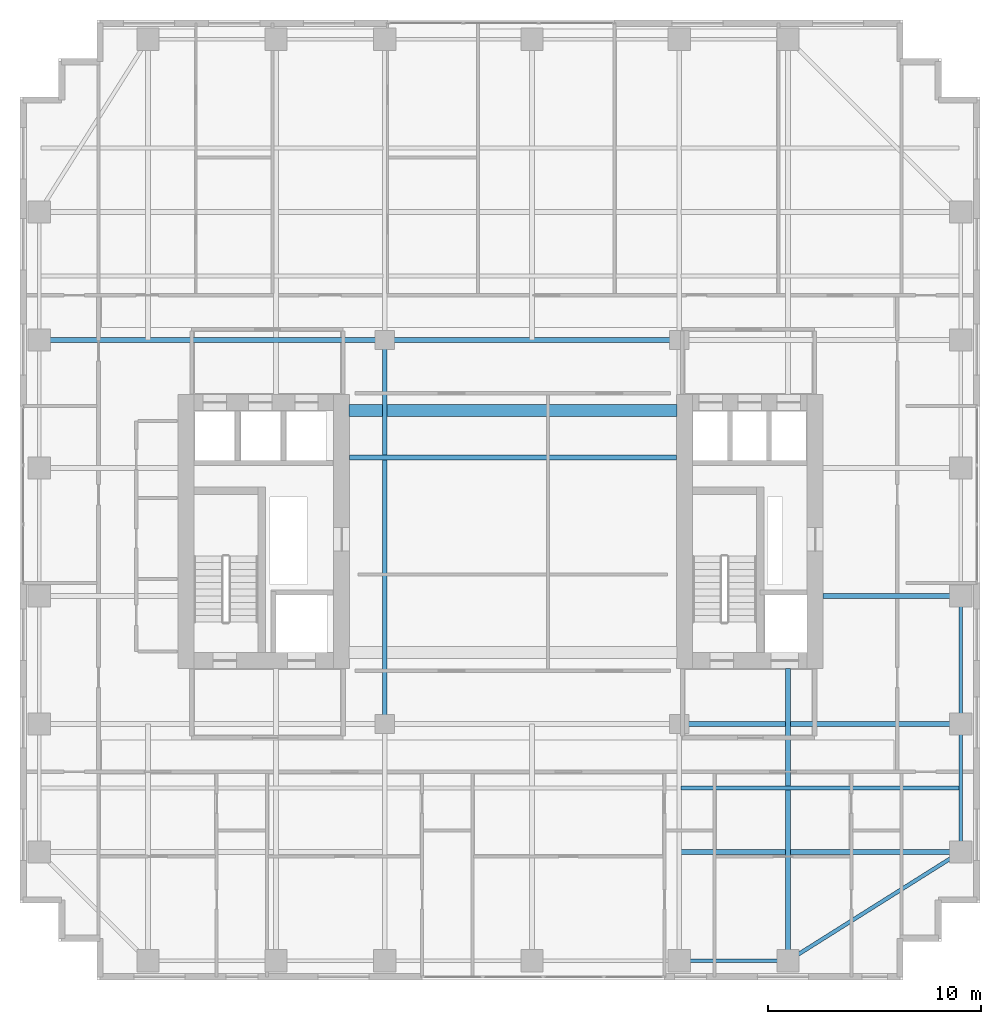
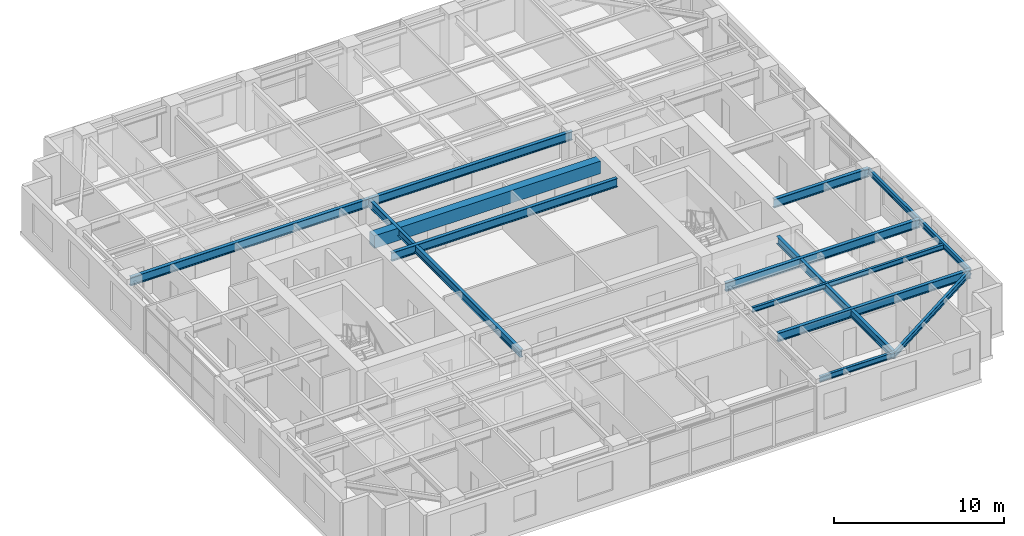
# One storey, part 6 of 20: 14 beams.
"""IFC4 building model written with IfcOpenShell, lengths in metres."""

from ifc_helpers import new_model, si_unit, direction, frame, origin, origin_2d, place, context, subcontext, project, spatial, rectangle, i_section, extrude, source, transform, mapped, material, material_profile, profile_set, type_object, element, save


model = new_model("IFC4")

# Units and contexts
model_context = context("Model", 3, precision=1e-05, world=origin(), true_north=direction((0.0, 1.0)))
body_context = subcontext(model_context, "Body", "Model", "MODEL_VIEW")
ifc_project = project(units=[si_unit("LENGTHUNIT", "METRE"), si_unit("AREAUNIT", "SQUARE_METRE"), si_unit("VOLUMEUNIT", "CUBIC_METRE"), si_unit("PLANEANGLEUNIT", "RADIAN"), si_unit("MASSUNIT", "GRAM", prefix="KILO")], contexts=[model_context])

# Site, building, storey
site_placement = place(None, origin())
site = spatial("IfcSite", under=ifc_project, at=site_placement, CompositionType="ELEMENT")
building_placement = place(site_placement, origin())
building = spatial("IfcBuilding", under=site, at=building_placement, Name="Khoralis Quay Care Tower", CompositionType="ELEMENT")
storey_placement = place(building_placement, frame((0.0, 0.0, 116.10009765625)))
storey = spatial("IfcBuildingStorey", under=building, at=storey_placement, Name="L30", CompositionType="ELEMENT", Elevation=116.10009765625)

# Beams
ifc_material_1 = material(Name="Concrete C65/80", Category="concrete")
ifc_material_profile_1 = material_profile(ifc_material_1, rectangle(XDim=0.550048828125, YDim=0.89990234375, at=origin_2d()), Name="Concrete C65/80")
ifc_profile_set_1 = profile_set([ifc_material_profile_1], Name="Concrete C65/80")
beam_type_1 = type_object("IfcBeamType", Name="CB-RC550X900", PredefinedType="LINTEL", material=ifc_profile_set_1)
shared_shape_1 = source(origin(), body_context, "Body", "SweptSolid", [
    extrude(rectangle(XDim=0.550048828125, YDim=0.89990234375, at=origin_2d()), origin(), (0.0, 0.0, 1.0), 15.380126953125),
])
beam_1_placement = place(storey_placement, frame((15.419921875, 26.699951171875, 2.889892578125), z_axis=(1.0, 0.0, 0.0), x_axis=(0.0, 1.0, 0.0)))
element("IfcBeam", 1, at=beam_1_placement, inside=storey, type_object=beam_type_1, Name="L30 North Core Coupling Lintel", PredefinedType="LINTEL", context=body_context, shape_type="MappedRepresentation", body=[
    mapped(shared_shape_1, transform((0.0, 0.0, 0.0), scale=1.0)),
])
ifc_material_2 = material(Name="Steel S355", Category="steel")
ifc_material_profile_2 = material_profile(ifc_material_2, i_section(OverallWidth=0.179931640625, OverallDepth=0.39990234375, WebThickness=0.008544921875, FlangeThickness=0.013427734375, FilletRadius=0.02099609375, at=origin_2d()), Name="Steel S355")
ifc_profile_set_2 = profile_set([ifc_material_profile_2], Name="Steel S355")
beam_type_2 = type_object("IfcBeamType", Name="BM-IPE400", PredefinedType="SPANDREL", material=ifc_profile_set_2)
shared_shape_2 = source(origin(), body_context, "Body", "SweptSolid", [
    extrude(i_section(OverallWidth=0.179931640625, OverallDepth=0.39990234375, WebThickness=0.008544921875, FlangeThickness=0.013427734375, FilletRadius=0.02099609375, at=origin_2d()), origin(), (0.0, 0.0, 1.0), 6.0),
])
for number, where, z_axis, x_axis, name in (
    (2, (44.10009765625, 6.0, 3.139892578125), (0.0, 1.0, 0.0), (-1.0, 0.0, 0.0), "BM-TSP-L30-16"),
    (3, (44.10009765625, 12.0, 3.139892578125), (0.0, 1.0, 0.0), (-1.0, 0.0, 0.0), "BM-TSP-L30-17"),
):
    element("IfcBeam", number, at=place(storey_placement, frame(where, z_axis=z_axis, x_axis=x_axis)), inside=storey, type_object=beam_type_2, Name=name, PredefinedType="SPANDREL", context=body_context, shape_type="MappedRepresentation", body=[
        mapped(shared_shape_2, transform((0.0, 0.0, 0.0), scale=1.0)),
    ])
shared_shape_3 = source(origin(), body_context, "Body", "SweptSolid", [
    extrude(i_section(OverallWidth=0.179931640625, OverallDepth=0.39990234375, WebThickness=0.008544921875, FlangeThickness=0.013427734375, FilletRadius=0.02099609375, at=origin_2d()), origin(), (0.0, 0.0, 1.0), 5.10009765625),
])
beam_2_placement = place(storey_placement, frame((30.89990234375, 0.89990234375, 3.139892578125), z_axis=(1.0, 0.0, 0.0), x_axis=(0.0, 1.0, 0.0)))
element("IfcBeam", 4, at=beam_2_placement, inside=storey, type_object=beam_type_2, Name="BM-TSP-L30-05", PredefinedType="SPANDREL", context=body_context, shape_type="MappedRepresentation", body=[
    mapped(shared_shape_3, transform((0.0, 0.0, 0.0), scale=1.0)),
])
shared_shape_4 = source(origin(), body_context, "Body", "SweptSolid", [
    extrude(i_section(OverallWidth=0.179931640625, OverallDepth=0.39990234375, WebThickness=0.008544921875, FlangeThickness=0.013427734375, FilletRadius=0.02099609375, at=origin_2d()), origin(), (0.0, 0.0, 1.0), 9.572021484375),
])
beam_3_placement = place(storey_placement, frame((36.0, 0.89990234375, 3.139892578125), z_axis=(0.846231136359, 0.532815975602, 0.0), x_axis=(-0.532815975602, 0.846231136359, 0.0)))
element("IfcBeam", 5, at=beam_3_placement, inside=storey, type_object=beam_type_2, Name="BM-TCR-L30-22", PredefinedType="SPANDREL", context=body_context, shape_type="MappedRepresentation", body=[
    mapped(shared_shape_4, transform((0.0, 0.0, 0.0), scale=1.0)),
])
ifc_material_profile_3 = material_profile(ifc_material_2, i_section(OverallWidth=0.22998046875, OverallDepth=0.616943359375, WebThickness=0.01318359375, FlangeThickness=0.022216796875, FilletRadius=0.01806640625, at=origin_2d()), Name="Steel S355")
ifc_profile_set_3 = profile_set([ifc_material_profile_3], Name="Steel S355")
beam_type_3 = type_object("IfcBeamType", Name="BM-W610X140", PredefinedType="BEAM", material=ifc_profile_set_3)
shared_shape_5 = source(origin(), body_context, "Body", "SweptSolid", [
    extrude(i_section(OverallWidth=0.22998046875, OverallDepth=0.616943359375, WebThickness=0.01318359375, FlangeThickness=0.022216796875, FilletRadius=0.01806640625, at=origin_2d()), origin(), (0.0, 0.0, 1.0), 16.2001953125),
])
beam_4_placement = place(storey_placement, frame((0.89990234375, 30.0, 3.031494140625), z_axis=(1.0, 0.0, 0.0), x_axis=(0.0, 1.0, 0.0)))
element("IfcBeam", 6, at=beam_4_placement, inside=storey, type_object=beam_type_3, Name="BM-TGXW-L30-300", PredefinedType="BEAM", context=body_context, shape_type="MappedRepresentation", body=[
    mapped(shared_shape_5, transform((0.0, 0.0, 0.0), scale=1.0)),
])
shared_shape_6 = source(origin(), body_context, "Body", "SweptSolid", [
    extrude(i_section(OverallWidth=0.22998046875, OverallDepth=0.616943359375, WebThickness=0.01318359375, FlangeThickness=0.022216796875, FilletRadius=0.01806640625, at=origin_2d()), origin(), (0.0, 0.0, 1.0), 13.106201171875),
])
beam_5_placement = place(storey_placement, frame((30.993896484375, 6.0, 3.031494140625), z_axis=(1.0, 0.0, 0.0), x_axis=(0.0, 1.0, 0.0)))
element("IfcBeam", 7, at=beam_5_placement, inside=storey, type_object=beam_type_3, Name="BM-TGXE-L30-60", PredefinedType="BEAM", context=body_context, shape_type="MappedRepresentation", body=[
    mapped(shared_shape_6, transform((0.0, 0.0, 0.0), scale=1.0)),
])
shared_shape_7 = source(origin(), body_context, "Body", "SweptSolid", [
    extrude(i_section(OverallWidth=0.22998046875, OverallDepth=0.616943359375, WebThickness=0.01318359375, FlangeThickness=0.022216796875, FilletRadius=0.01806640625, at=origin_2d()), origin(), (0.0, 0.0, 1.0), 13.2001953125),
])
beam_6_placement = place(storey_placement, frame((30.89990234375, 12.0, 3.031494140625), z_axis=(1.0, 0.0, 0.0), x_axis=(0.0, 1.0, 0.0)))
element("IfcBeam", 8, at=beam_6_placement, inside=storey, type_object=beam_type_3, Name="BM-TGXE-L30-120", PredefinedType="BEAM", context=body_context, shape_type="MappedRepresentation", body=[
    mapped(shared_shape_7, transform((0.0, 0.0, 0.0), scale=1.0)),
])
shared_shape_8 = source(origin(), body_context, "Body", "SweptSolid", [
    extrude(i_section(OverallWidth=0.22998046875, OverallDepth=0.616943359375, WebThickness=0.01318359375, FlangeThickness=0.022216796875, FilletRadius=0.01806640625, at=origin_2d()), origin(), (0.0, 0.0, 1.0), 6.4521484375),
])
beam_7_placement = place(storey_placement, frame((37.64794921875, 18.0, 3.031494140625), z_axis=(1.0, 0.0, 0.0), x_axis=(0.0, 1.0, 0.0)))
element("IfcBeam", 9, at=beam_7_placement, inside=storey, type_object=beam_type_3, Name="BM-TGXE-L30-180", PredefinedType="BEAM", context=body_context, shape_type="MappedRepresentation", body=[
    mapped(shared_shape_8, transform((0.0, 0.0, 0.0), scale=1.0)),
])
shared_shape_9 = source(origin(), body_context, "Body", "SweptSolid", [
    extrude(i_section(OverallWidth=0.22998046875, OverallDepth=0.616943359375, WebThickness=0.01318359375, FlangeThickness=0.022216796875, FilletRadius=0.01806640625, at=origin_2d()), origin(), (0.0, 0.0, 1.0), 13.7998046875),
])
beam_8_placement = place(storey_placement, frame((17.10009765625, 30.0, 3.031494140625), z_axis=(1.0, 0.0, 0.0), x_axis=(0.0, 1.0, 0.0)))
element("IfcBeam", 10, at=beam_8_placement, inside=storey, type_object=beam_type_3, Name="BM-TGCC-L30-300", PredefinedType="BEAM", context=body_context, shape_type="MappedRepresentation", body=[
    mapped(shared_shape_9, transform((0.0, 0.0, 0.0), scale=1.0)),
])
shared_shape_10 = source(origin(), body_context, "Body", "SweptSolid", [
    extrude(i_section(OverallWidth=0.22998046875, OverallDepth=0.616943359375, WebThickness=0.01318359375, FlangeThickness=0.022216796875, FilletRadius=0.01806640625, at=origin_2d()), origin(), (0.0, 0.0, 1.0), 15.323974609375),
])
beam_9_placement = place(storey_placement, frame((15.447998046875, 24.5, 3.031494140625), z_axis=(1.0, 0.0, 0.0), x_axis=(0.0, 1.0, 0.0)))
element("IfcBeam", 11, at=beam_9_placement, inside=storey, type_object=beam_type_3, Name="BM-TGCC-L30-245", PredefinedType="BEAM", context=body_context, shape_type="MappedRepresentation", body=[
    mapped(shared_shape_10, transform((0.0, 0.0, 0.0), scale=1.0)),
])
ifc_material_profile_4 = material_profile(ifc_material_2, i_section(OverallWidth=0.2119140625, OverallDepth=0.5439453125, WebThickness=0.01318359375, FlangeThickness=0.021240234375, FilletRadius=0.01611328125, at=origin_2d()), Name="Steel S355")
ifc_profile_set_4 = profile_set([ifc_material_profile_4], Name="Steel S355")
beam_type_4 = type_object("IfcBeamType", Name="BM-W530X123", PredefinedType="BEAM", material=ifc_profile_set_4)
shared_shape_11 = source(origin(), body_context, "Body", "SweptSolid", [
    extrude(i_section(OverallWidth=0.2119140625, OverallDepth=0.5439453125, WebThickness=0.01318359375, FlangeThickness=0.021240234375, FilletRadius=0.01611328125, at=origin_2d()), origin(), (0.0, 0.0, 1.0), 13.7021484375),
])
beam_10_placement = place(storey_placement, frame((36.0, 0.89990234375, 3.06787109375), z_axis=(0.0, 1.0, 0.0), x_axis=(-1.0, 0.0, 0.0)))
element("IfcBeam", 12, at=beam_10_placement, inside=storey, type_object=beam_type_4, Name="BM-TGYS-L30-360", PredefinedType="BEAM", context=body_context, shape_type="MappedRepresentation", body=[
    mapped(shared_shape_11, transform((0.0, 0.0, 0.0), scale=1.0)),
])
shared_shape_12 = source(origin(), body_context, "Body", "SweptSolid", [
    extrude(i_section(OverallWidth=0.2119140625, OverallDepth=0.5439453125, WebThickness=0.01318359375, FlangeThickness=0.021240234375, FilletRadius=0.01611328125, at=origin_2d()), origin(), (0.0, 0.0, 1.0), 18.0),
])
beam_11_placement = place(storey_placement, frame((17.10009765625, 12.0, 3.06787109375), z_axis=(0.0, 1.0, 0.0), x_axis=(-1.0, 0.0, 0.0)))
element("IfcBeam", 13, at=beam_11_placement, inside=storey, type_object=beam_type_4, Name="BM-TGSW-L30", PredefinedType="BEAM", context=body_context, shape_type="MappedRepresentation", body=[
    mapped(shared_shape_12, transform((0.0, 0.0, 0.0), scale=1.0)),
])
ifc_material_profile_5 = material_profile(ifc_material_2, i_section(OverallWidth=0.1708984375, OverallDepth=0.35498046875, WebThickness=0.007080078125, FlangeThickness=0.01171875, FilletRadius=0.012939453125, at=origin_2d()), Name="Steel S355")
ifc_profile_set_5 = profile_set([ifc_material_profile_5], Name="Steel S355")
beam_type_5 = type_object("IfcBeamType", Name="BM-W360X51", PredefinedType="JOIST", material=ifc_profile_set_5)
shared_shape_13 = source(origin(), body_context, "Body", "SweptSolid", [
    extrude(i_section(OverallWidth=0.1708984375, OverallDepth=0.35498046875, WebThickness=0.007080078125, FlangeThickness=0.01171875, FilletRadius=0.012939453125, at=origin_2d()), origin(), (0.0, 0.0, 1.0), 13.030029296875),
])
beam_12_placement = place(storey_placement, frame((30.993896484375, 9.0, 3.162353515625), z_axis=(1.0, 0.0, 0.0), x_axis=(0.0, 1.0, 0.0)))
element("IfcBeam", 14, at=beam_12_placement, inside=storey, type_object=beam_type_5, Name="BM-TJS-L30-26", PredefinedType="JOIST", context=body_context, shape_type="MappedRepresentation", body=[
    mapped(shared_shape_13, transform((0.0, 0.0, 0.0), scale=1.0)),
])

save(model, "model.ifc")
